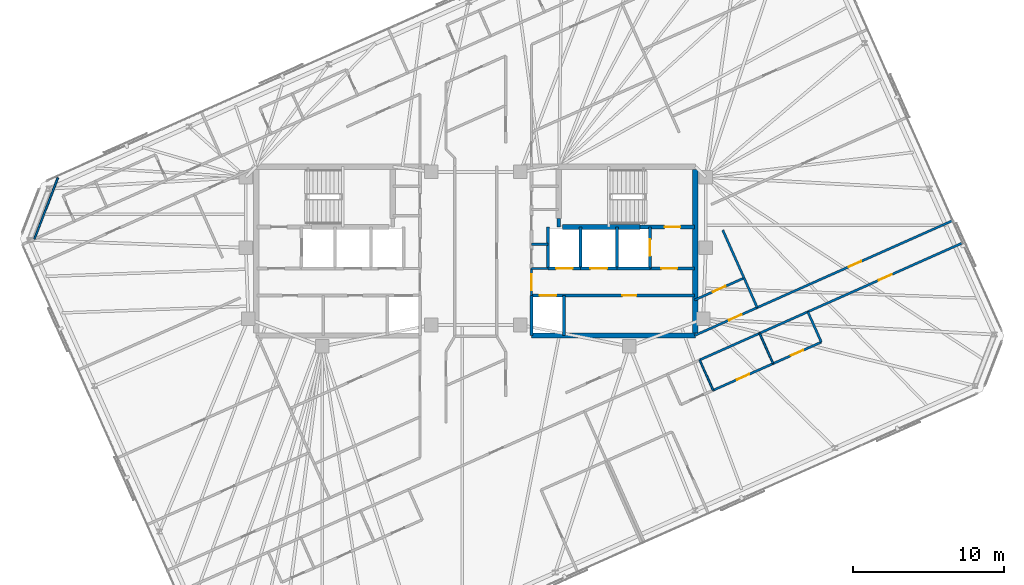
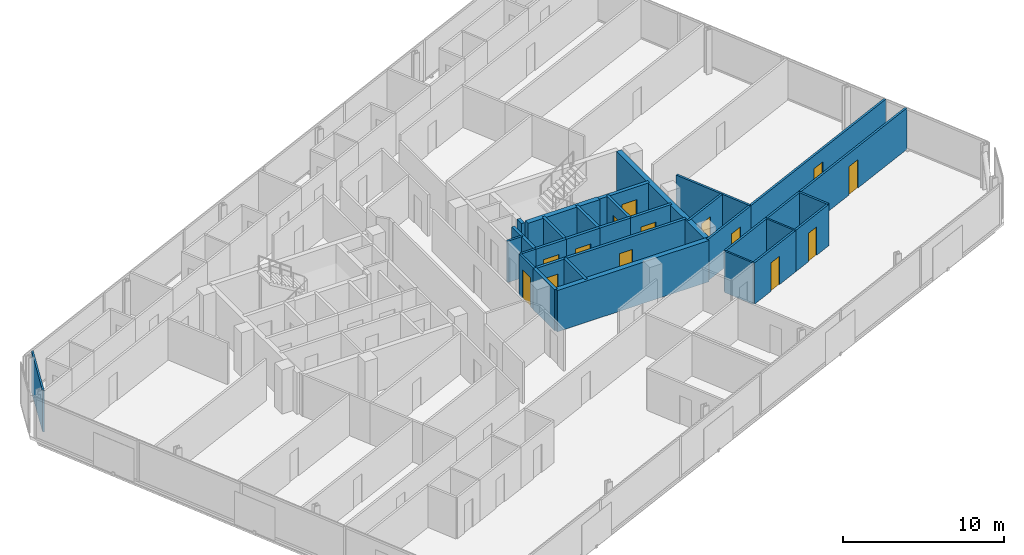
# One storey, part 15 of 19: 33 walls, 14 doors, 14 openings.
"""IFC4 building model written with IfcOpenShell, lengths in metres."""

from ifc_helpers import new_model, si_unit, direction, frame, frame_2d, origin, place, context, subcontext, project, spatial, rectangle, extrude, material, layer, layer_set, type_object, element, fill, save


model = new_model("IFC4")

# Units and contexts
model_context = context("Model", 3, precision=1e-05, world=origin(), true_north=direction((0.0, 1.0)))
body_context = subcontext(model_context, "Body", "Model", "MODEL_VIEW")
ifc_project = project(units=[si_unit("LENGTHUNIT", "METRE"), si_unit("AREAUNIT", "SQUARE_METRE"), si_unit("VOLUMEUNIT", "CUBIC_METRE"), si_unit("PLANEANGLEUNIT", "RADIAN"), si_unit("MASSUNIT", "GRAM", prefix="KILO")], contexts=[model_context])

# Site, building, storey
site_placement = place(None, origin())
site = spatial("IfcSite", under=ifc_project, at=site_placement, CompositionType="ELEMENT")
building_placement = place(site_placement, origin())
building = spatial("IfcBuilding", under=site, at=building_placement, Name="Menara Jurai Vektor", CompositionType="ELEMENT")
storey_placement = place(building_placement, frame((0.0, 0.0, 265.550048828125)))
storey = spatial("IfcBuildingStorey", under=building, at=storey_placement, Name="L71", CompositionType="ELEMENT", Elevation=265.550048828125)

# Wall, opening, door
ifc_material_1 = material(Name="Concrete C40/50", Category="concrete")
ifc_layer_1 = layer(ifc_material_1, 0.25)
ifc_layer_set_1 = layer_set([ifc_layer_1], Name="Concrete C40/50")
wall_type_1 = type_object("IfcWallType", Name="INT-WALL-CORE-250", PredefinedType="STANDARD", material=ifc_layer_set_1)
wall_1_placement = place(storey_placement, frame((10.89990234375, 1.60009765625, 0.0), z_axis=(0.0, 0.0, 1.0), x_axis=(1.0, 0.0, 0.0)))
wall_1 = element("IfcWall", 1, at=wall_1_placement, inside=storey, type_object=wall_type_1, Name="Interior Wall IW-250 L71", PredefinedType="STANDARD", context=body_context, shape_type="SweptSolid", body=[
    extrude(rectangle(XDim=3.60009765625, YDim=0.25, at=frame_2d((1.800048828125, 0.0))), origin(), (0.0, 0.0, 1.0), 3.125),
])
opening_1_placement = place(wall_1_placement, frame((1.6201171875, 0.0, 0.0)))
opening_1 = element("IfcOpeningElement", 2, at=opening_1_placement, cuts=wall_1, Name="Opening D-L71-ST2", PredefinedType="OPENING", context=body_context, shape_type="SweptSolid", body=[
    extrude(rectangle(XDim=1.050048828125, YDim=2.14990234375, at=frame_2d((0.52490234375, 1.074951171875))), frame((0.0, 0.135009765625, 0.0), z_axis=(0.0, -1.0, 0.0), x_axis=(1.0, 0.0, 0.0)), (0.0, 0.0, 1.0), 0.27001953125),
])
ifc_material_2 = material(Name="Fire-Rated Steel Door", Category="steel")
door_type_1 = type_object("IfcDoorType", Name="DR-STAIR-1050", OperationType="NOTDEFINED", PredefinedType="DOOR", material=ifc_material_2)
door_1_placement = place(opening_1_placement, origin())
door_1 = element("IfcDoor", 3, at=door_1_placement, inside=storey, type_object=door_type_1, Name="Exit Stair ST2 Door L71", OperationType="SINGLE_SWING_LEFT", OverallHeight=2.14990234375, OverallWidth=1.050048828125, PredefinedType="DOOR", context=body_context, shape_type="SweptSolid", body=[
    extrude(rectangle(XDim=1.050048828125, YDim=2.14990234375, at=frame_2d((0.52490234375, 1.074951171875))), frame((0.0, 0.02490234375, 0.0), z_axis=(0.0, -1.0, 0.0), x_axis=(1.0, 0.0, 0.0)), (0.0, 0.0, 1.0), 0.050048828125),
])
fill(opening_1, door_1)

# Wall
wall_2_placement = place(storey_placement, frame((5.5, 1.60009765625, 0.0), z_axis=(0.0, 0.0, 1.0), x_axis=(0.0, 1.0, 0.0)))
element("IfcWall", 4, at=wall_2_placement, inside=storey, type_object=wall_type_1, Name="Interior Wall IW-250 L71", PredefinedType="STANDARD", context=body_context, shape_type="SweptSolid", body=[
    extrude(rectangle(XDim=0.5498046875, YDim=0.25, at=frame_2d((0.27490234375, 0.0))), origin(), (0.0, 0.0, 1.0), 3.125),
])

# Wall, opening, door
wall_3_placement = place(storey_placement, frame((11.550048828125, -1.14990234375, 0.0), z_axis=(0.0, 0.0, 1.0), x_axis=(0.0, 1.0, 0.0)))
wall_3 = element("IfcWall", 5, at=wall_3_placement, inside=storey, type_object=wall_type_1, Name="Interior Wall IW-250 L71", PredefinedType="STANDARD", context=body_context, shape_type="SweptSolid", body=[
    extrude(rectangle(XDim=2.75, YDim=0.199951171875, at=frame_2d((1.375, 0.0))), origin(), (0.0, 0.0, 1.0), 3.125),
])
opening_2_placement = place(wall_3_placement, frame((0.824951171875, 0.0, 0.0)))
opening_2 = element("IfcOpeningElement", 6, at=opening_2_placement, cuts=wall_3, Name="Opening LD-L71-FL2", PredefinedType="OPENING", context=body_context, shape_type="SweptSolid", body=[
    extrude(rectangle(XDim=1.10009765625, YDim=2.14990234375, at=frame_2d((0.550048828125, 1.074951171875))), frame((0.0, 0.10986328125, 0.0), z_axis=(0.0, -1.0, 0.0), x_axis=(1.0, 0.0, 0.0)), (0.0, 0.0, 1.0), 0.219970703125),
])
ifc_material_3 = material(Name="Stainless Steel Sliding Lift Landing Door", Category="steel")
door_type_2 = type_object("IfcDoorType", Name="DR-LIFT-FIRE-1100", OperationType="NOTDEFINED", PredefinedType="DOOR", material=ifc_material_3)
door_2_placement = place(opening_2_placement, origin())
door_2 = element("IfcDoor", 7, at=door_2_placement, inside=storey, type_object=door_type_2, Name="Lift Landing Door FL2 L71", OperationType="SLIDING_TO_RIGHT", OverallHeight=2.14990234375, OverallWidth=1.10009765625, PredefinedType="DOOR", context=body_context, shape_type="SweptSolid", body=[
    extrude(rectangle(XDim=1.10009765625, YDim=2.14990234375, at=frame_2d((0.550048828125, 1.074951171875))), frame((0.0, 0.02490234375, 0.0), z_axis=(0.0, -1.0, 0.0), x_axis=(1.0, 0.0, 0.0)), (0.0, 0.0, 1.0), 0.050048828125),
])
fill(opening_2, door_2)

# Wall
wall_4_placement = place(storey_placement, frame((9.35009765625, -1.14990234375, 0.0), z_axis=(0.0, 0.0, 1.0), x_axis=(0.0, 1.0, 0.0)))
element("IfcWall", 8, at=wall_4_placement, inside=storey, type_object=wall_type_1, Name="Interior Wall IW-250 L71", PredefinedType="STANDARD", context=body_context, shape_type="SweptSolid", body=[
    extrude(rectangle(XDim=2.75, YDim=0.199951171875, at=frame_2d((1.375, 0.0))), origin(), (0.0, 0.0, 1.0), 3.125),
])

# Wall, opening, door
wall_5_placement = place(storey_placement, frame((11.550048828125, -1.14990234375, 0.0), z_axis=(0.0, 0.0, 1.0), x_axis=(1.0, 0.0, 0.0)))
wall_5 = element("IfcWall", 9, at=wall_5_placement, inside=storey, type_object=wall_type_1, Name="Interior Wall IW-250 L71", PredefinedType="STANDARD", context=body_context, shape_type="SweptSolid", body=[
    extrude(rectangle(XDim=2.949951171875, YDim=0.199951171875, at=frame_2d((1.47509765625, 0.0))), origin(), (0.0, 0.0, 1.0), 3.125),
])
opening_3_placement = place(wall_5_placement, frame((0.75, 0.0, 0.0)))
opening_3 = element("IfcOpeningElement", 10, at=opening_3_placement, cuts=wall_5, Name="Opening D-L71-FFE", PredefinedType="OPENING", context=body_context, shape_type="SweptSolid", body=[
    extrude(rectangle(XDim=1.050048828125, YDim=2.179931640625, at=frame_2d((0.52490234375, 1.08984375))), frame((0.0, 0.10986328125, 0.0), z_axis=(0.0, -1.0, 0.0), x_axis=(1.0, 0.0, 0.0)), (0.0, 0.0, 1.0), 0.219970703125),
])
ifc_material_4 = material(Name="Fire-Rated Timber Door", Category="wood")
door_type_3 = type_object("IfcDoorType", Name="DR-LOBBY-1050", OperationType="NOTDEFINED", PredefinedType="DOOR", material=ifc_material_4)
door_3_placement = place(opening_3_placement, origin())
door_3 = element("IfcDoor", 11, at=door_3_placement, inside=storey, type_object=door_type_3, Name="Fire Lift Lobby Door E L71", OperationType="SINGLE_SWING_LEFT", OverallHeight=2.179931640625, OverallWidth=1.050048828125, PredefinedType="DOOR", context=body_context, shape_type="SweptSolid", body=[
    extrude(rectangle(XDim=1.050048828125, YDim=2.179931640625, at=frame_2d((0.52490234375, 1.08984375))), frame((0.0, 0.02490234375, 0.0), z_axis=(0.0, -1.0, 0.0), x_axis=(1.0, 0.0, 0.0)), (0.0, 0.0, 1.0), 0.050048828125),
])
fill(opening_3, door_3)

# Wall
wall_6_placement = place(storey_placement, frame((9.35009765625, -1.14990234375, 0.0), z_axis=(0.0, 0.0, 1.0), x_axis=(1.0, 0.0, 0.0)))
element("IfcWall", 12, at=wall_6_placement, inside=storey, type_object=wall_type_1, Name="Interior Wall IW-250 L71", PredefinedType="STANDARD", context=body_context, shape_type="SweptSolid", body=[
    extrude(rectangle(XDim=2.199951171875, YDim=0.199951171875, at=frame_2d((1.10009765625, 0.0))), origin(), (0.0, 0.0, 1.0), 3.125),
])

# Wall, opening, door
ifc_material_5 = material(Name="Gypsum Fireboard Partition", Category="gypsum")
ifc_layer_2 = layer(ifc_material_5, 0.14990234375)
ifc_layer_set_2 = layer_set([ifc_layer_2], Name="Gypsum Fireboard Partition")
wall_type_2 = type_object("IfcWallType", Name="INT-WALL-CORR-150", PredefinedType="PARTITIONING", material=ifc_layer_set_2)
wall_7_placement = place(storey_placement, frame((3.699951171875, -2.949951171875, 0.0), z_axis=(0.0, 0.0, 1.0), x_axis=(0.0, 1.0, 0.0)))
wall_7 = element("IfcWall", 13, at=wall_7_placement, inside=storey, type_object=wall_type_2, Name="Interior Wall IW-150 L71", PredefinedType="PARTITIONING", context=body_context, shape_type="SweptSolid", body=[
    extrude(rectangle(XDim=1.800048828125, YDim=0.14990234375, at=frame_2d((0.89990234375, 0.0))), origin(), (0.0, 0.0, 1.0), 3.125),
])
opening_4_placement = place(wall_7_placement, frame((0.35009765625, 0.0, 0.0)))
opening_4 = element("IfcOpeningElement", 14, at=opening_4_placement, cuts=wall_7, Name="Opening D-L71-LLE", PredefinedType="OPENING", context=body_context, shape_type="SweptSolid", body=[
    extrude(rectangle(XDim=1.050048828125, YDim=2.179931640625, at=frame_2d((0.52490234375, 1.08984375))), frame((0.0, 0.0849609375, 0.0), z_axis=(0.0, -1.0, 0.0), x_axis=(1.0, 0.0, 0.0)), (0.0, 0.0, 1.0), 0.169921875),
])
door_4_placement = place(opening_4_placement, frame((1.050048828125, 0.0, 0.0), z_axis=(0.0, 0.0, 1.0), x_axis=(-1.0, 0.0, 0.0)))
door_4 = element("IfcDoor", 15, at=door_4_placement, inside=storey, type_object=door_type_3, Name="Lift Lobby Corridor Door E L71", OperationType="SINGLE_SWING_RIGHT", OverallHeight=2.179931640625, OverallWidth=1.050048828125, PredefinedType="DOOR", context=body_context, shape_type="SweptSolid", body=[
    extrude(rectangle(XDim=1.050048828125, YDim=2.179931640625, at=frame_2d((0.52490234375, 1.08984375))), frame((0.0, 0.02490234375, 0.0), z_axis=(0.0, -1.0, 0.0), x_axis=(1.0, 0.0, 0.0)), (0.0, 0.0, 1.0), 0.050048828125),
])
fill(opening_4, door_4)

# Walls
for number, where, z_axis, x_axis, name in (
    (16, (3.699951171875, -1.14990234375, 0.0), (0.0, 0.0, 1.0), (1.0, 0.0, 0.0), "Interior Wall IW-150 L71"),
    (17, (3.699951171875, 0.449951171875, 0.0), (0.0, 0.0, 1.0), (1.0, 0.0, 0.0), "Interior Wall IW-150 L71"),
):
    element("IfcWall", number, at=place(storey_placement, frame(where, z_axis=z_axis, x_axis=x_axis)), inside=storey, type_object=wall_type_2, Name=name, PredefinedType="PARTITIONING", context=body_context, shape_type="SweptSolid", body=[
        extrude(rectangle(XDim=1.090087890625, YDim=0.14990234375, at=frame_2d((0.544921875, 0.0))), origin(), (0.0, 0.0, 1.0), 3.125),
    ])

# Wall, opening, door
wall_8_placement = place(storey_placement, frame((22.015625, -4.027099609375, 0.0), z_axis=(0.0, 0.0, 1.0), x_axis=(0.913548968583, 0.406728757282, 0.0)))
wall_8 = element("IfcWall", 18, at=wall_8_placement, inside=storey, type_object=wall_type_2, Name="Interior Wall IW-150 L71", PredefinedType="PARTITIONING", context=body_context, shape_type="SweptSolid", body=[
    extrude(rectangle(XDim=11.2421875, YDim=0.14990234375, at=frame_2d((5.62109375, 0.0))), origin(), (0.0, 0.0, 1.0), 3.125),
])
opening_5_placement = place(wall_8_placement, frame((5.14599609375, 0.0, 0.0)))
opening_5 = element("IfcOpeningElement", 19, at=opening_5_placement, cuts=wall_8, Name="Opening D71-27", PredefinedType="OPENING", context=body_context, shape_type="SweptSolid", body=[
    extrude(rectangle(XDim=0.949951171875, YDim=2.14990234375, at=frame_2d((0.47509765625, 1.074951171875))), frame((0.0, 0.0849609375, 0.0), z_axis=(0.0, -1.0, 0.0), x_axis=(1.0, 0.0, 0.0)), (0.0, 0.0, 1.0), 0.169921875),
])
ifc_material_6 = material(Name="Solid Core Timber Fire Door", Category="wood")
door_type_4 = type_object("IfcDoorType", Name="DR-ENTRY-950", OperationType="NOTDEFINED", PredefinedType="DOOR", material=ifc_material_6)
door_5_placement = place(opening_5_placement, origin())
door_5 = element("IfcDoor", 20, at=door_5_placement, inside=storey, type_object=door_type_4, Name="Interior Door D71-27", OperationType="SINGLE_SWING_LEFT", OverallHeight=2.14990234375, OverallWidth=0.949951171875, PredefinedType="DOOR", context=body_context, shape_type="SweptSolid", body=[
    extrude(rectangle(XDim=0.949951171875, YDim=2.14990234375, at=frame_2d((0.47509765625, 1.074951171875))), frame((0.0, 0.02490234375, 0.0), z_axis=(0.0, -1.0, 0.0), x_axis=(1.0, 0.0, 0.0)), (0.0, 0.0, 1.0), 0.050048828125),
])
fill(opening_5, door_5)

# Walls
wall_9_placement = place(storey_placement, frame((14.844482421875, -7.22021484375, 0.0), z_axis=(0.0, 0.0, 1.0), x_axis=(0.913524337797, 0.406784075711, 0.0)))
element("IfcWall", 21, at=wall_9_placement, inside=storey, type_object=wall_type_2, Name="Interior Wall IW-150 L71", PredefinedType="PARTITIONING", context=body_context, shape_type="SweptSolid", body=[
    extrude(rectangle(XDim=4.35009765625, YDim=0.14990234375, at=frame_2d((2.175048828125, 0.0))), origin(), (0.0, 0.0, 1.0), 3.125),
])
wall_10_placement = place(storey_placement, frame((18.818359375, -5.45068359375, 0.0), z_axis=(0.0, 0.0, 1.0), x_axis=(0.913538066796, 0.406753242783, 0.0)))
element("IfcWall", 22, at=wall_10_placement, inside=storey, type_object=wall_type_2, Name="Interior Wall IW-150 L71", PredefinedType="PARTITIONING", context=body_context, shape_type="SweptSolid", body=[
    extrude(rectangle(XDim=3.499755859375, YDim=0.14990234375, at=frame_2d((1.75, 0.0))), origin(), (0.0, 0.0, 1.0), 3.125),
])

# Wall, opening, door
wall_11_placement = place(storey_placement, frame((14.499755859375, -5.600341796875, 0.0), z_axis=(0.0, 0.0, 1.0), x_axis=(0.913550607208, 0.406725076766, 0.0)))
wall_11 = element("IfcWall", 23, at=wall_11_placement, inside=storey, type_object=wall_type_2, Name="Interior Wall IW-150 L71", PredefinedType="PARTITIONING", context=body_context, shape_type="SweptSolid", body=[
    extrude(rectangle(XDim=4.555908203125, YDim=0.14990234375, at=frame_2d((2.27783203125, 0.0))), origin(), (0.0, 0.0, 1.0), 3.125),
])
opening_6_placement = place(wall_11_placement, frame((2.50146484375, 0.0, 0.0)))
opening_6 = element("IfcOpeningElement", 24, at=opening_6_placement, cuts=wall_11, Name="Opening D71-39", PredefinedType="OPENING", context=body_context, shape_type="SweptSolid", body=[
    extrude(rectangle(XDim=0.919921875, YDim=2.14990234375, at=frame_2d((0.4599609375, 1.074951171875))), frame((0.0, 0.0849609375, 0.0), z_axis=(0.0, -1.0, 0.0), x_axis=(1.0, 0.0, 0.0)), (0.0, 0.0, 1.0), 0.169921875),
])
door_6_placement = place(opening_6_placement, origin())
door_6 = element("IfcDoor", 25, at=door_6_placement, inside=storey, type_object=door_type_4, Name="Interior Door D71-39", OperationType="SINGLE_SWING_LEFT", OverallHeight=2.14990234375, OverallWidth=0.919921875, PredefinedType="DOOR", context=body_context, shape_type="SweptSolid", body=[
    extrude(rectangle(XDim=0.919921875, YDim=2.14990234375, at=frame_2d((0.4599609375, 1.074951171875))), frame((0.0, 0.02490234375, 0.0), z_axis=(0.0, -1.0, 0.0), x_axis=(1.0, 0.0, 0.0)), (0.0, 0.0, 1.0), 0.050048828125),
])
fill(opening_6, door_6)

wall_12_placement = place(storey_placement, frame((18.661865234375, -3.747314453125, 0.0), z_axis=(0.0, 0.0, 1.0), x_axis=(0.913544622417, 0.406738519018, 0.0)))
wall_12 = element("IfcWall", 26, at=wall_12_placement, inside=storey, type_object=wall_type_2, Name="Interior Wall IW-150 L71", PredefinedType="PARTITIONING", context=body_context, shape_type="SweptSolid", body=[
    extrude(rectangle(XDim=14.192138671875, YDim=0.14990234375, at=frame_2d((7.09619140625, 0.0))), origin(), (0.0, 0.0, 1.0), 3.125),
])
opening_7_placement = place(wall_12_placement, frame((6.635986328125, 0.0, 0.0)))
opening_7 = element("IfcOpeningElement", 27, at=opening_7_placement, cuts=wall_12, Name="Opening D71-50", PredefinedType="OPENING", context=body_context, shape_type="SweptSolid", body=[
    extrude(rectangle(XDim=0.919921875, YDim=2.14990234375, at=frame_2d((0.4599609375, 1.074951171875))), frame((0.0, 0.0849609375, 0.0), z_axis=(0.0, -1.0, 0.0), x_axis=(1.0, 0.0, 0.0)), (0.0, 0.0, 1.0), 0.169921875),
])
door_7_placement = place(opening_7_placement, origin())
door_7 = element("IfcDoor", 28, at=door_7_placement, inside=storey, type_object=door_type_4, Name="Interior Door D71-50", OperationType="SINGLE_SWING_RIGHT", OverallHeight=2.14990234375, OverallWidth=0.919921875, PredefinedType="DOOR", context=body_context, shape_type="SweptSolid", body=[
    extrude(rectangle(XDim=0.919921875, YDim=2.14990234375, at=frame_2d((0.4599609375, 1.074951171875))), frame((0.0, 0.02490234375, 0.0), z_axis=(0.0, -1.0, 0.0), x_axis=(1.0, 0.0, 0.0)), (0.0, 0.0, 1.0), 0.050048828125),
])
fill(opening_7, door_7)

wall_13_placement = place(storey_placement, frame((15.7392578125, -9.22998046875, 0.0), z_axis=(0.0, 0.0, 1.0), x_axis=(0.913545193015, 0.406737237438, 0.0)))
wall_13 = element("IfcWall", 29, at=wall_13_placement, inside=storey, type_object=wall_type_2, Name="Interior Wall IW-150 L71", PredefinedType="PARTITIONING", context=body_context, shape_type="SweptSolid", body=[
    extrude(rectangle(XDim=4.349853515625, YDim=0.14990234375, at=frame_2d((2.1748046875, 0.0))), origin(), (0.0, 0.0, 1.0), 3.125),
])
opening_8_placement = place(wall_13_placement, frame((1.72509765625, 0.0, 0.0)))
opening_8 = element("IfcOpeningElement", 30, at=opening_8_placement, cuts=wall_13, Name="Opening D71-29", PredefinedType="OPENING", context=body_context, shape_type="SweptSolid", body=[
    extrude(rectangle(XDim=0.89990234375, YDim=2.14990234375, at=frame_2d((0.449951171875, 1.074951171875))), frame((0.0, 0.0849609375, 0.0), z_axis=(0.0, -1.0, 0.0), x_axis=(1.0, 0.0, 0.0)), (0.0, 0.0, 1.0), 0.169921875),
])
ifc_material_7 = material(Name="Acoustic Timber Interior Door", Category="wood")
door_type_5 = type_object("IfcDoorType", Name="DR-ROOM-900", OperationType="NOTDEFINED", PredefinedType="DOOR", material=ifc_material_7)
door_8_placement = place(opening_8_placement, origin())
door_8 = element("IfcDoor", 31, at=door_8_placement, inside=storey, type_object=door_type_5, Name="Interior Door D71-29", OperationType="SINGLE_SWING_LEFT", OverallHeight=2.14990234375, OverallWidth=0.89990234375, PredefinedType="DOOR", context=body_context, shape_type="SweptSolid", body=[
    extrude(rectangle(XDim=0.89990234375, YDim=2.14990234375, at=frame_2d((0.449951171875, 1.074951171875))), frame((0.0, 0.02490234375, 0.0), z_axis=(0.0, -1.0, 0.0), x_axis=(1.0, 0.0, 0.0)), (0.0, 0.0, 1.0), 0.050048828125),
])
fill(opening_8, door_8)

wall_14_placement = place(storey_placement, frame((19.713134765625, -7.460693359375, 0.0), z_axis=(0.0, 0.0, 1.0), x_axis=(0.913549606868, 0.406727323635, 0.0)))
wall_14 = element("IfcWall", 32, at=wall_14_placement, inside=storey, type_object=wall_type_2, Name="Interior Wall IW-150 L71", PredefinedType="PARTITIONING", context=body_context, shape_type="SweptSolid", body=[
    extrude(rectangle(XDim=3.5, YDim=0.14990234375, at=frame_2d((1.75, 0.0))), origin(), (0.0, 0.0, 1.0), 3.125),
])
opening_9_placement = place(wall_14_placement, frame((1.31005859375, 0.0, 0.0)))
opening_9 = element("IfcOpeningElement", 33, at=opening_9_placement, cuts=wall_14, Name="Opening D71-30", PredefinedType="OPENING", context=body_context, shape_type="SweptSolid", body=[
    extrude(rectangle(XDim=0.8798828125, YDim=2.14990234375, at=frame_2d((0.43994140625, 1.074951171875))), frame((0.0, 0.0849609375, 0.0), z_axis=(0.0, -1.0, 0.0), x_axis=(1.0, 0.0, 0.0)), (0.0, 0.0, 1.0), 0.169921875),
])
ifc_material_8 = material(Name="Moisture-Resistant Timber Door", Category="wood")
door_type_6 = type_object("IfcDoorType", Name="DR-BATH-880", OperationType="NOTDEFINED", PredefinedType="DOOR", material=ifc_material_8)
door_9_placement = place(opening_9_placement, origin())
door_9 = element("IfcDoor", 34, at=door_9_placement, inside=storey, type_object=door_type_6, Name="Interior Door D71-30", OperationType="SINGLE_SWING_RIGHT", OverallHeight=2.14990234375, OverallWidth=0.8798828125, PredefinedType="DOOR", context=body_context, shape_type="SweptSolid", body=[
    extrude(rectangle(XDim=0.8798828125, YDim=2.14990234375, at=frame_2d((0.43994140625, 1.074951171875))), frame((0.0, 0.02490234375, 0.0), z_axis=(0.0, -1.0, 0.0), x_axis=(1.0, 0.0, 0.0)), (0.0, 0.0, 1.0), 0.050048828125),
])
fill(opening_9, door_9)

# Wall
wall_15_placement = place(storey_placement, frame((22.91064453125, -6.037109375, 0.0), z_axis=(0.0, 0.0, 1.0), x_axis=(-0.40677666873, 0.913527636022, 0.0)))
element("IfcWall", 35, at=wall_15_placement, inside=storey, type_object=wall_type_2, Name="Interior Wall IW-150 L71", PredefinedType="PARTITIONING", context=body_context, shape_type="SweptSolid", body=[
    extrude(rectangle(XDim=2.2001953125, YDim=0.14990234375, at=frame_2d((1.10009765625, 0.0))), origin(), (0.0, 0.0, 1.0), 3.125),
])

# Wall, opening, door
wall_16_placement = place(storey_placement, frame((14.5, -3.247802734375, 0.0), z_axis=(0.0, 0.0, 1.0), x_axis=(0.913542803573, 0.40674260416, 0.0)))
wall_16 = element("IfcWall", 36, at=wall_16_placement, inside=storey, type_object=wall_type_2, Name="Interior Wall IW-150 L71", PredefinedType="PARTITIONING", context=body_context, shape_type="SweptSolid", body=[
    extrude(rectangle(XDim=3.59912109375, YDim=0.14990234375, at=frame_2d((1.799560546875, 0.0))), origin(), (0.0, 0.0, 1.0), 3.125),
])
opening_10_placement = place(wall_16_placement, frame((1.339599609375, 0.0, 0.0)))
opening_10 = element("IfcOpeningElement", 37, at=opening_10_placement, cuts=wall_16, Name="Opening D71-40", PredefinedType="OPENING", context=body_context, shape_type="SweptSolid", body=[
    extrude(rectangle(XDim=0.919921875, YDim=2.14990234375, at=frame_2d((0.4599609375, 1.074951171875))), frame((0.0, 0.0849609375, 0.0), z_axis=(0.0, -1.0, 0.0), x_axis=(1.0, 0.0, 0.0)), (0.0, 0.0, 1.0), 0.169921875),
])
door_10_placement = place(opening_10_placement, origin())
door_10 = element("IfcDoor", 38, at=door_10_placement, inside=storey, type_object=door_type_4, Name="Interior Door D71-40", OperationType="SINGLE_SWING_RIGHT", OverallHeight=2.14990234375, OverallWidth=0.919921875, PredefinedType="DOOR", context=body_context, shape_type="SweptSolid", body=[
    extrude(rectangle(XDim=0.919921875, YDim=2.14990234375, at=frame_2d((0.4599609375, 1.074951171875))), frame((0.0, 0.02490234375, 0.0), z_axis=(0.0, -1.0, 0.0), x_axis=(1.0, 0.0, 0.0)), (0.0, 0.0, 1.0), 0.050048828125),
])
fill(opening_10, door_10)

# Walls
wall_17_placement = place(storey_placement, frame((18.661865234375, -3.747314453125, 0.0), z_axis=(0.0, 0.0, 1.0), x_axis=(-0.406686481677, 0.913567789286, 0.0)))
element("IfcWall", 39, at=wall_17_placement, inside=storey, type_object=wall_type_2, Name="Interior Wall IW-150 L71", PredefinedType="PARTITIONING", context=body_context, shape_type="SweptSolid", body=[
    extrude(rectangle(XDim=2.149169921875, YDim=0.14990234375, at=frame_2d((1.07470703125, 0.0))), origin(), (0.0, 0.0, 1.0), 3.125),
])
wall_18_placement = place(storey_placement, frame((17.787841796875, -1.783935546875, 0.0), z_axis=(0.0, 0.0, 1.0), x_axis=(-0.40673740295, 0.913545119324, 0.0)))
element("IfcWall", 40, at=wall_18_placement, inside=storey, type_object=wall_type_2, Name="Interior Wall IW-150 L71", PredefinedType="PARTITIONING", context=body_context, shape_type="SweptSolid", body=[
    extrude(rectangle(XDim=3.47900390625, YDim=0.14990234375, at=frame_2d((1.739501953125, 0.0))), origin(), (0.0, 0.0, 1.0), 3.125),
])
ifc_material_9 = material(Name="Gypsum Acoustic Stud Partition", Category="gypsum")
ifc_layer_3 = layer(ifc_material_9, 0.1201171875)
ifc_layer_set_3 = layer_set([ifc_layer_3], Name="Gypsum Acoustic Stud Partition")
wall_type_3 = type_object("IfcWallType", Name="INT-WALL-PART-120", PredefinedType="PARTITIONING", material=ifc_layer_set_3)
wall_19_placement = place(storey_placement, frame((15.7392578125, -9.22998046875, 0.0), z_axis=(0.0, 0.0, 1.0), x_axis=(-0.406725294076, 0.913550510459, 0.0)))
element("IfcWall", 41, at=wall_19_placement, inside=storey, type_object=wall_type_3, Name="Interior Wall IW-120 L71", PredefinedType="PARTITIONING", context=body_context, shape_type="SweptSolid", body=[
    extrude(rectangle(XDim=2.199951171875, YDim=0.1201171875, at=frame_2d((1.10009765625, 0.0))), origin(), (0.0, 0.0, 1.0), 3.125),
])
wall_20_placement = place(storey_placement, frame((19.713134765625, -7.460693359375, 0.0), z_axis=(0.0, 0.0, 1.0), x_axis=(-0.406684063321, 0.913568865845, 0.0)))
element("IfcWall", 42, at=wall_20_placement, inside=storey, type_object=wall_type_3, Name="Interior Wall IW-120 L71", PredefinedType="PARTITIONING", context=body_context, shape_type="SweptSolid", body=[
    extrude(rectangle(XDim=2.2001953125, YDim=0.1201171875, at=frame_2d((1.10009765625, 0.0))), origin(), (0.0, 0.0, 1.0), 3.125),
])
wall_21_placement = place(storey_placement, frame((-27.711181640625, 4.86083984375, 0.0), z_axis=(0.0, 0.0, 1.0), x_axis=(-0.358310046253, -0.933602651428, 0.0)))
element("IfcWall", 43, at=wall_21_placement, inside=storey, type_object=wall_type_3, Name="Interior Wall IW-120 L71", PredefinedType="PARTITIONING", context=body_context, shape_type="SweptSolid", body=[
    extrude(rectangle(XDim=4.353271484375, YDim=0.1201171875, at=frame_2d((2.1767578125, 0.0))), origin(), (0.0, 0.0, 1.0), 3.125),
])
ifc_layer_4 = layer(ifc_material_1, 0.199951171875)
ifc_layer_set_4 = layer_set([ifc_layer_4], Name="Concrete C40/50")
wall_type_4 = type_object("IfcWallType", Name="INT-WALL-SHAFT-200", PredefinedType="STANDARD", material=ifc_layer_set_4)
wall_22_placement = place(storey_placement, frame((3.699951171875, -5.60009765625, 0.0), z_axis=(0.0, 0.0, 1.0), x_axis=(0.0, 1.0, 0.0)))
element("IfcWall", 44, at=wall_22_placement, inside=storey, type_object=wall_type_4, Name="Interior Wall IW-200 L71", PredefinedType="STANDARD", context=body_context, shape_type="SweptSolid", body=[
    extrude(rectangle(XDim=2.650146484375, YDim=0.199951171875, at=frame_2d((1.3251953125, 0.0))), origin(), (0.0, 0.0, 1.0), 3.125),
])
wall_23_placement = place(storey_placement, frame((6.949951171875, -1.14990234375, 0.0), z_axis=(0.0, 0.0, 1.0), x_axis=(0.0, 1.0, 0.0)))
element("IfcWall", 45, at=wall_23_placement, inside=storey, type_object=wall_type_4, Name="Interior Wall IW-200 L71", PredefinedType="STANDARD", context=body_context, shape_type="SweptSolid", body=[
    extrude(rectangle(XDim=2.75, YDim=0.199951171875, at=frame_2d((1.375, 0.0))), origin(), (0.0, 0.0, 1.0), 3.125),
])

# Wall, opening, door
wall_24_placement = place(storey_placement, frame((6.949951171875, -1.14990234375, 0.0), z_axis=(0.0, 0.0, 1.0), x_axis=(1.0, 0.0, 0.0)))
wall_24 = element("IfcWall", 46, at=wall_24_placement, inside=storey, type_object=wall_type_4, Name="Interior Wall IW-200 L71", PredefinedType="STANDARD", context=body_context, shape_type="SweptSolid", body=[
    extrude(rectangle(XDim=2.400146484375, YDim=0.199951171875, at=frame_2d((1.2001953125, 0.0))), origin(), (0.0, 0.0, 1.0), 3.125),
])
opening_11_placement = place(wall_24_placement, frame((0.64990234375, 0.0, 0.0)))
opening_11 = element("IfcOpeningElement", 47, at=opening_11_placement, cuts=wall_24, Name="Opening LD-L71-SVL2", PredefinedType="OPENING", context=body_context, shape_type="SweptSolid", body=[
    extrude(rectangle(XDim=1.10009765625, YDim=2.14990234375, at=frame_2d((0.550048828125, 1.074951171875))), frame((0.0, 0.10986328125, 0.0), z_axis=(0.0, -1.0, 0.0), x_axis=(1.0, 0.0, 0.0)), (0.0, 0.0, 1.0), 0.219970703125),
])
ifc_material_10 = material(Name="Anodised Stainless Sliding Lift Landing Door", Category="steel")
door_type_7 = type_object("IfcDoorType", Name="DR-LIFT-PASS-1100", OperationType="NOTDEFINED", PredefinedType="DOOR", material=ifc_material_10)
door_11_placement = place(opening_11_placement, origin())
door_11 = element("IfcDoor", 48, at=door_11_placement, inside=storey, type_object=door_type_7, Name="Lift Landing Door SVL2 L71", OperationType="SLIDING_TO_RIGHT", OverallHeight=2.14990234375, OverallWidth=1.10009765625, PredefinedType="DOOR", context=body_context, shape_type="SweptSolid", body=[
    extrude(rectangle(XDim=1.10009765625, YDim=2.14990234375, at=frame_2d((0.550048828125, 1.074951171875))), frame((0.0, 0.02490234375, 0.0), z_axis=(0.0, -1.0, 0.0), x_axis=(1.0, 0.0, 0.0)), (0.0, 0.0, 1.0), 0.050048828125),
])
fill(opening_11, door_11)

# Wall
wall_25_placement = place(storey_placement, frame((4.7900390625, -1.14990234375, 0.0), z_axis=(0.0, 0.0, 1.0), x_axis=(0.0, 1.0, 0.0)))
element("IfcWall", 49, at=wall_25_placement, inside=storey, type_object=wall_type_4, Name="Interior Wall IW-200 L71", PredefinedType="STANDARD", context=body_context, shape_type="SweptSolid", body=[
    extrude(rectangle(XDim=2.75, YDim=0.199951171875, at=frame_2d((1.375, 0.0))), origin(), (0.0, 0.0, 1.0), 3.125),
])

# Wall, opening, door
wall_26_placement = place(storey_placement, frame((4.7900390625, -1.14990234375, 0.0), z_axis=(0.0, 0.0, 1.0), x_axis=(1.0, 0.0, 0.0)))
wall_26 = element("IfcWall", 50, at=wall_26_placement, inside=storey, type_object=wall_type_4, Name="Interior Wall IW-200 L71", PredefinedType="STANDARD", context=body_context, shape_type="SweptSolid", body=[
    extrude(rectangle(XDim=2.159912109375, YDim=0.199951171875, at=frame_2d((1.080078125, 0.0))), origin(), (0.0, 0.0, 1.0), 3.125),
])
opening_12_placement = place(wall_26_placement, frame((0.530029296875, 0.0, 0.0)))
opening_12 = element("IfcOpeningElement", 51, at=opening_12_placement, cuts=wall_26, Name="Opening LD-L71-PH4", PredefinedType="OPENING", context=body_context, shape_type="SweptSolid", body=[
    extrude(rectangle(XDim=1.10009765625, YDim=2.14990234375, at=frame_2d((0.550048828125, 1.074951171875))), frame((0.0, 0.10986328125, 0.0), z_axis=(0.0, -1.0, 0.0), x_axis=(1.0, 0.0, 0.0)), (0.0, 0.0, 1.0), 0.219970703125),
])
door_12_placement = place(opening_12_placement, origin())
door_12 = element("IfcDoor", 52, at=door_12_placement, inside=storey, type_object=door_type_7, Name="Lift Landing Door PH4 L71", OperationType="SLIDING_TO_LEFT", OverallHeight=2.14990234375, OverallWidth=1.10009765625, PredefinedType="DOOR", context=body_context, shape_type="SweptSolid", body=[
    extrude(rectangle(XDim=1.10009765625, YDim=2.14990234375, at=frame_2d((0.550048828125, 1.074951171875))), frame((0.0, 0.02490234375, 0.0), z_axis=(0.0, -1.0, 0.0), x_axis=(1.0, 0.0, 0.0)), (0.0, 0.0, 1.0), 0.050048828125),
])
fill(opening_12, door_12)

# Wall, openings, doors
wall_27_placement = place(storey_placement, frame((3.699951171875, -2.949951171875, 0.0), z_axis=(0.0, 0.0, 1.0), x_axis=(1.0, 0.0, 0.0)))
wall_27 = element("IfcWall", 53, at=wall_27_placement, inside=storey, type_object=wall_type_4, Name="Interior Wall IW-200 L71", PredefinedType="STANDARD", context=body_context, shape_type="SweptSolid", body=[
    extrude(rectangle(XDim=10.800048828125, YDim=0.199951171875, at=frame_2d((5.39990234375, 0.0))), origin(), (0.0, 0.0, 1.0), 3.125),
])
opening_13_placement = place(wall_27_placement, frame((0.530029296875, 0.0, 0.0)))
opening_13 = element("IfcOpeningElement", 54, at=opening_13_placement, cuts=wall_27, Name="Opening LD-L71-PH3", PredefinedType="OPENING", context=body_context, shape_type="SweptSolid", body=[
    extrude(rectangle(XDim=1.10009765625, YDim=2.14990234375, at=frame_2d((0.550048828125, 1.074951171875))), frame((0.0, 0.10986328125, 0.0), z_axis=(0.0, -1.0, 0.0), x_axis=(1.0, 0.0, 0.0)), (0.0, 0.0, 1.0), 0.219970703125),
])
opening_14_placement = place(wall_27_placement, frame((6.02001953125, 0.0, 0.0)))
opening_14 = element("IfcOpeningElement", 55, at=opening_14_placement, cuts=wall_27, Name="Opening D71-05", PredefinedType="OPENING", context=body_context, shape_type="SweptSolid", body=[
    extrude(rectangle(XDim=0.919921875, YDim=2.14990234375, at=frame_2d((0.4599609375, 1.074951171875))), frame((0.0, 0.10986328125, 0.0), z_axis=(0.0, -1.0, 0.0), x_axis=(1.0, 0.0, 0.0)), (0.0, 0.0, 1.0), 0.219970703125),
])
door_13_placement = place(opening_14_placement, origin())
door_13 = element("IfcDoor", 56, at=door_13_placement, inside=storey, type_object=door_type_4, Name="Interior Door D71-05", OperationType="SINGLE_SWING_LEFT", OverallHeight=2.14990234375, OverallWidth=0.919921875, PredefinedType="DOOR", context=body_context, shape_type="SweptSolid", body=[
    extrude(rectangle(XDim=0.919921875, YDim=2.14990234375, at=frame_2d((0.4599609375, 1.074951171875))), frame((0.0, 0.02490234375, 0.0), z_axis=(0.0, -1.0, 0.0), x_axis=(1.0, 0.0, 0.0)), (0.0, 0.0, 1.0), 0.050048828125),
])
fill(opening_14, door_13)
door_14_placement = place(opening_13_placement, origin())
door_14 = element("IfcDoor", 57, at=door_14_placement, inside=storey, type_object=door_type_7, Name="Lift Landing Door PH3 L71", OperationType="SLIDING_TO_RIGHT", OverallHeight=2.14990234375, OverallWidth=1.10009765625, PredefinedType="DOOR", context=body_context, shape_type="SweptSolid", body=[
    extrude(rectangle(XDim=1.10009765625, YDim=2.14990234375, at=frame_2d((0.550048828125, 1.074951171875))), frame((0.0, 0.02490234375, 0.0), z_axis=(0.0, -1.0, 0.0), x_axis=(1.0, 0.0, 0.0)), (0.0, 0.0, 1.0), 0.050048828125),
])
fill(opening_13, door_14)

# Walls
wall_28_placement = place(storey_placement, frame((5.860107421875, -5.60009765625, 0.0), z_axis=(0.0, 0.0, 1.0), x_axis=(0.0, 1.0, 0.0)))
element("IfcWall", 58, at=wall_28_placement, inside=storey, type_object=wall_type_4, Name="Interior Wall IW-200 L71", PredefinedType="STANDARD", context=body_context, shape_type="SweptSolid", body=[
    extrude(rectangle(XDim=2.650146484375, YDim=0.199951171875, at=frame_2d((1.3251953125, 0.0))), origin(), (0.0, 0.0, 1.0), 3.125),
])
ifc_material_11 = material(Name="Concrete C50/60", Category="concrete")
ifc_layer_5 = layer(ifc_material_11, 0.35009765625)
ifc_layer_set_5 = layer_set([ifc_layer_5], Name="Concrete C50/60")
wall_type_5 = type_object("IfcWallType", Name="STR-WALL-CORE350", PredefinedType="SHEAR", material=ifc_layer_set_5)
wall_29_placement = place(storey_placement, frame((3.699951171875, -5.60009765625, 0.0), z_axis=(0.0, 0.0, 1.0), x_axis=(1.0, 0.0, 0.0)))
element("IfcWall", 59, at=wall_29_placement, inside=storey, type_object=wall_type_5, Name="Core Shear Wall CW-E-S L71", PredefinedType="SHEAR", context=body_context, shape_type="SweptSolid", body=[
    extrude(rectangle(XDim=10.860107421875, YDim=0.35009765625, at=frame_2d((5.43017578125, 0.0))), origin(), (0.0, 0.0, 1.0), 3.125),
])
wall_30_placement = place(storey_placement, frame((14.56005859375, -5.425048828125, 0.0), z_axis=(0.0, 0.0, 1.0), x_axis=(0.0, 1.0, 0.0)))
element("IfcWall", 60, at=wall_30_placement, inside=storey, type_object=wall_type_5, Name="Core Shear Wall CW-E-E L71", PredefinedType="SHEAR", context=body_context, shape_type="SweptSolid", body=[
    extrude(rectangle(XDim=10.85009765625, YDim=0.35009765625, at=frame_2d((5.425048828125, 0.0))), origin(), (0.0, 0.0, 1.0), 3.125),
])
wall_31_placement = place(storey_placement, frame((5.75, 1.60009765625, 0.0), z_axis=(0.0, 0.0, 1.0), x_axis=(1.0, 0.0, 0.0)))
element("IfcWall", 61, at=wall_31_placement, inside=storey, type_object=wall_type_5, Name="Core Shear Wall CW-E-STS L71", PredefinedType="SHEAR", context=body_context, shape_type="SweptSolid", body=[
    extrude(rectangle(XDim=5.14990234375, YDim=0.35009765625, at=frame_2d((2.574951171875, 0.0))), origin(), (0.0, 0.0, 1.0), 3.125),
])

save(model, "model.ifc")
